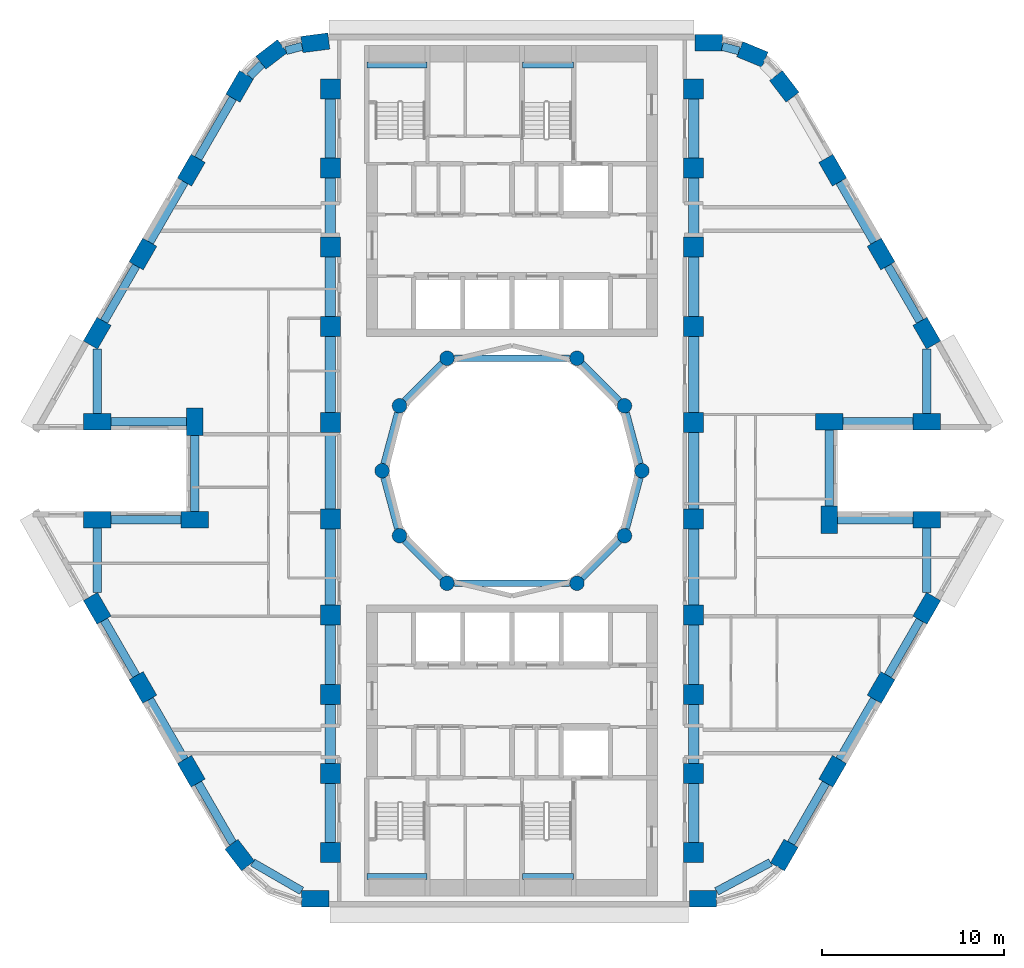
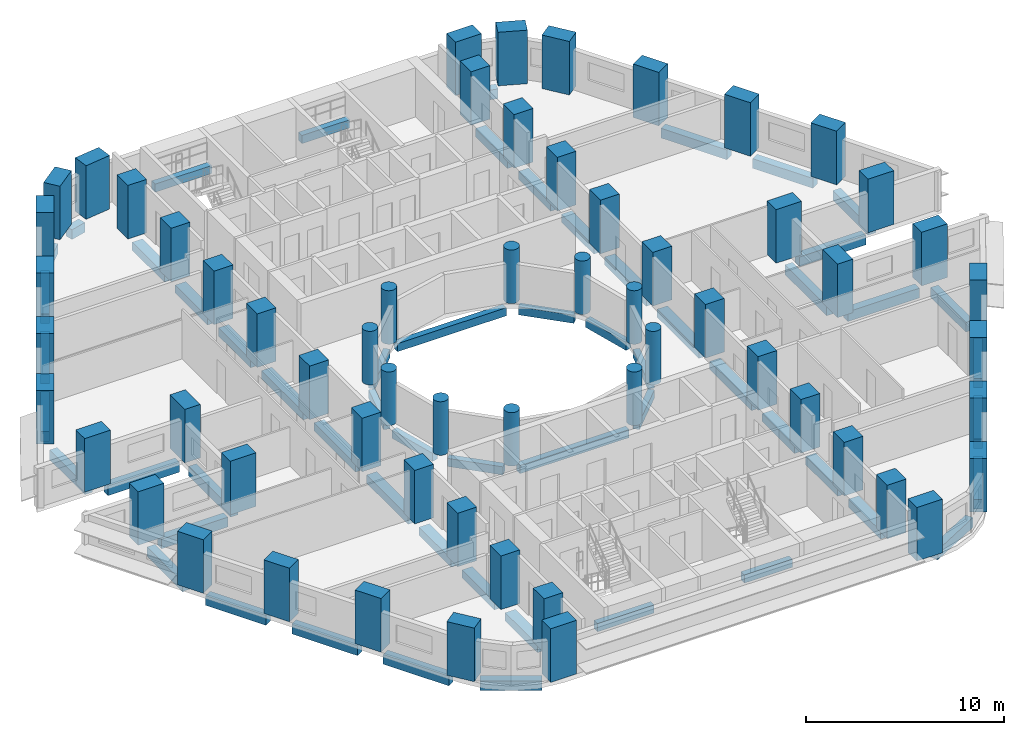
# One storey, part 1 of 12: 60 columns, 58 beams.
"""IFC4 building model written with IfcOpenShell, lengths in metres."""

import ifcopenshell
import ifcopenshell.guid

model = None  # the IFC model being written
_history = None  # IfcOwnerHistory: only IFC2X3 demands one
_inside = {}  # id of a spatial element -> (the spatial element, [elements in it])
_under = {}  # id of a project, library or spatial element -> (it, [spatial elements below it])
_declared = {}  # id of a project -> (the project, [libraries it declares])
_typed = {}  # id of a type object -> (the type object, [elements of that type])
_made_of = {}  # id of a material, layer set ... -> (it, [elements and type objects made of it])


def new_model(schema):
    """Start an empty IFC model of exactly this schema.

    Asked for "IFC4X3", IfcOpenShell would pick the latest addendum, in which some entities
    have other attributes; the version numbers below select the first issue.
    IFC2X3 requires an IfcOwnerHistory on every rooted entity: one is made here for all.
    """
    global model, _history
    if schema == "IFC4X3":
        model = ifcopenshell.file(schema_version=(4, 3, 0, 0))
    else:
        model = ifcopenshell.file(schema=schema)
    _inside.clear()
    _under.clear()
    _declared.clear()
    _typed.clear()
    _made_of.clear()
    _history = None
    if model.schema == "IFC2X3":
        org = make("IfcOrganization", Name="unknown")
        user = make(
            "IfcPersonAndOrganization",
            ThePerson=make("IfcPerson", FamilyName="unknown"),
            TheOrganization=org,
        )
        app = make(
            "IfcApplication",
            ApplicationDeveloper=org,
            Version="unknown",
            ApplicationFullName="unknown",
            ApplicationIdentifier="unknown",
        )
        _history = make(
            "IfcOwnerHistory",
            OwningUser=user,
            OwningApplication=app,
            ChangeAction="ADDED",
            CreationDate=0,
        )
    return model


def make(cls, **values):
    """One entity of the class cls with the attributes given. An attribute that is None is left unset."""
    return model.create_entity(
        cls, **{name: value for name, value in values.items() if value is not None}
    )


def rooted(cls, **values):
    """An entity with a GlobalId (a new one), such as an element, a storey or a relation."""
    return make(cls, GlobalId=ifcopenshell.guid.new(), OwnerHistory=_history, **values)


def si_unit(unit_type, name, prefix=None):
    """IfcSIUnit, for example si_unit("LENGTHUNIT", "METRE", prefix="MILLI")."""
    return make("IfcSIUnit", UnitType=unit_type, Prefix=prefix, Name=name)


def assignment(units):
    """IfcUnitAssignment: the units of a project."""
    return None if units is None else make("IfcUnitAssignment", Units=units)


def point(xyz):
    """IfcCartesianPoint."""
    return None if xyz is None else make("IfcCartesianPoint", Coordinates=xyz)


def direction(xyz):
    """IfcDirection."""
    return None if xyz is None else make("IfcDirection", DirectionRatios=xyz)


def frame(location, z_axis=None, x_axis=None):
    """IfcAxis2Placement3D, a coordinate frame: its origin and axes. An axis left out is left unset."""
    return make(
        "IfcAxis2Placement3D",
        Location=point(location),
        Axis=direction(z_axis),
        RefDirection=direction(x_axis),
    )


def frame_2d(location, x_axis=None):
    """IfcAxis2Placement2D, a coordinate frame in the plane: its origin and x axis."""
    return make(
        "IfcAxis2Placement2D", Location=point(location), RefDirection=direction(x_axis)
    )


def origin():
    """The frame at (0, 0, 0) with its axes left unset."""
    return frame((0.0, 0.0, 0.0))


def origin_2d():
    """The frame at (0, 0) in the plane with its x axis left unset."""
    return frame_2d((0.0, 0.0))


def place(relative_to, where):
    """IfcLocalPlacement: puts the frame where relative to a parent placement (None: the world)."""
    return make(
        "IfcLocalPlacement", PlacementRelTo=relative_to, RelativePlacement=where
    )


def context(
    kind, dimensions, precision=None, world=None, true_north=None, identifier=None
):
    """IfcGeometricRepresentationContext, for example the 3D "Model" context."""
    return make(
        "IfcGeometricRepresentationContext",
        ContextIdentifier=identifier,
        ContextType=kind,
        CoordinateSpaceDimension=dimensions,
        Precision=precision,
        WorldCoordinateSystem=world,
        TrueNorth=true_north,
    )


def subcontext(parent, identifier, kind, view, scale=None):
    """IfcGeometricRepresentationSubContext, for example "Body" below "Model"."""
    return make(
        "IfcGeometricRepresentationSubContext",
        ContextIdentifier=identifier,
        ContextType=kind,
        ParentContext=parent,
        TargetScale=scale,
        TargetView=view,
    )


def project(units=None, contexts=None):
    """IfcProject with its units and contexts."""
    return rooted(
        "IfcProject",
        Name="project",
        RepresentationContexts=contexts,
        UnitsInContext=assignment(units),
    )


def spatial(cls, under=None, at=None, **own):
    """A site, building, storey or space (cls), placed at a placement, below another one or the project."""
    s = rooted(cls, ObjectPlacement=at, **own)
    if under is not None:
        _under.setdefault(under.id(), (under, []))[1].append(s)
    return s


def profile(cls, at=None, kind="AREA", **sizes):
    """A parametric profile (cls). Its sizes go by their IFC names, for example OverallWidth=200.0."""
    return make(cls, ProfileType=kind, Position=at, **sizes)


def rectangle(**sizes):
    """IfcRectangleProfileDef."""
    return profile("IfcRectangleProfileDef", **sizes)


def circle(**sizes):
    """IfcCircleProfileDef."""
    return profile("IfcCircleProfileDef", **sizes)


def extrude(swept, where, along, depth):
    """IfcExtrudedAreaSolid: the profile swept, set in the frame where, extruded along a direction by depth."""
    return make(
        "IfcExtrudedAreaSolid",
        SweptArea=swept,
        Position=where,
        ExtrudedDirection=direction(along),
        Depth=depth,
    )


def shape(context_of_items, identifier, shape_type, items):
    """IfcShapeRepresentation: the items that make up one representation, for example the "Body"."""
    return make(
        "IfcShapeRepresentation",
        ContextOfItems=context_of_items,
        RepresentationIdentifier=identifier,
        RepresentationType=shape_type,
        Items=items,
    )


def material(Name=None, Category=None):
    """IfcMaterial."""
    return make("IfcMaterial", Name=Name, Category=Category)


def material_profile(
    of_material, cross_section, Name=None, Category=None, Priority=None
):
    """IfcMaterialProfile: a cross section and its material."""
    return make(
        "IfcMaterialProfile",
        Name=Name,
        Material=of_material,
        Profile=cross_section,
        Priority=Priority,
        Category=Category,
    )


def profile_set(profiles, Name=None, composite=None):
    """IfcMaterialProfileSet."""
    return make(
        "IfcMaterialProfileSet",
        Name=Name,
        MaterialProfiles=profiles,
        CompositeProfile=composite,
    )


def made_of(thing, what):
    """Note that an element or type object is made of a material, layer set ...; save() writes the relation."""
    if what is not None:
        _made_of.setdefault(what.id(), (what, []))[1].append(thing)
    return thing


def type_object(cls, material=None, **own):
    """A type object (cls), such as IfcWallType, which elements share."""
    return made_of(rooted(cls, **own), material)


def element(
    cls,
    number,
    at=None,
    inside=None,
    cuts=None,
    type_object=None,
    material=None,
    context=None,
    identifier="Body",
    shape_type=None,
    held_by="IfcProductDefinitionShape",
    body=None,
    shapes=None,
    **own,
):
    """One element of the class cls, such as IfcWall. Its Tag is "e" and its number.

    at: its placement. inside: the storey or other place that contains it. cuts: it is an
    opening in that element (IfcRelVoidsElement). A single representation is given by context,
    identifier, shape_type and body (its items); several are given by shapes. held_by: the class
    of the entity that holds the representations. save() writes the other relations.
    """
    e = rooted(cls, Tag="e%d" % number, ObjectPlacement=at, **own)
    if body is not None:
        shapes = [shape(context, identifier, shape_type, body)]
    if shapes is not None:
        e.Representation = make(held_by, Representations=shapes)
    if inside is not None:
        _inside.setdefault(inside.id(), (inside, []))[1].append(e)
    if cuts is not None:
        rooted(
            "IfcRelVoidsElement", RelatingBuildingElement=cuts, RelatedOpeningElement=e
        )
    if type_object is not None:
        _typed.setdefault(type_object.id(), (type_object, []))[1].append(e)
    return made_of(e, material)


def aggregate(whole, parts):
    """IfcRelAggregates: a whole, such as a stair, and the parts it consists of."""
    return rooted("IfcRelAggregates", RelatingObject=whole, RelatedObjects=parts)


def save(model, path):
    """Write the relations noted so far, then the file.

    IfcRelAggregates (storeys below a building ...), IfcRelContainedInSpatialStructure (elements
    in a storey), IfcRelDefinesByType, IfcRelAssociatesMaterial and IfcRelDeclares: one each for
    every whole, place, type object, material and project.
    """
    for whole, parts in _under.values():
        aggregate(whole, parts)
    for where, things in _inside.values():
        rooted(
            "IfcRelContainedInSpatialStructure",
            RelatedElements=things,
            RelatingStructure=where,
        )
    for kind, things in _typed.values():
        rooted("IfcRelDefinesByType", RelatedObjects=things, RelatingType=kind)
    for what, things in _made_of.values():
        rooted("IfcRelAssociatesMaterial", RelatedObjects=things, RelatingMaterial=what)
    for by, libraries in _declared.values():
        rooted("IfcRelDeclares", RelatingContext=by, RelatedDefinitions=libraries)
    model.write(path)


model = new_model("IFC4")

# Units and contexts
model_context = context("Model", 3, precision=1e-05, world=origin(), true_north=direction((0.0, 1.0)))
body_context = subcontext(model_context, "Body", "Model", "MODEL_VIEW")
ifc_project = project(units=[si_unit("LENGTHUNIT", "METRE"), si_unit("AREAUNIT", "SQUARE_METRE"), si_unit("VOLUMEUNIT", "CUBIC_METRE"), si_unit("PLANEANGLEUNIT", "RADIAN"), si_unit("MASSUNIT", "GRAM", prefix="KILO")], contexts=[model_context])

# Site, building, storey
site_placement = place(None, origin())
site = spatial("IfcSite", under=ifc_project, at=site_placement, CompositionType="ELEMENT")
building_placement = place(site_placement, origin())
building = spatial("IfcBuilding", under=site, at=building_placement, Name="Nakaniwa Court", CompositionType="ELEMENT")
storey_placement = place(building_placement, frame((0.0, 0.0, 51.300048828125)))
storey = spatial("IfcBuildingStorey", under=building, at=storey_placement, Name="L13", CompositionType="ELEMENT", Elevation=51.300048828125)

# Columns
ifc_material_1 = material(Name="Concrete C100/115", Category="concrete")
ifc_material_profile_1 = material_profile(ifc_material_1, rectangle(XDim=1.10009765625, YDim=1.10009765625, at=origin_2d()), Name="Concrete C100/115 RC 1100x1100 spine column")
ifc_profile_set_1 = profile_set([ifc_material_profile_1], Name="Concrete C100/115")
column_type_1 = type_object("IfcColumnType", Name="Concrete C100/115 RC 1100x1100 spine column", PredefinedType="COLUMN", material=ifc_profile_set_1)
for number, where, z_axis, x_axis, name in (
    (1, (90.0, 59.0, 0.0), (0.0, 0.0, 1.0), (0.0, 1.0, 0.0), "COLUMN CS-01"),
    (2, (90.0, 63.35009765625, 0.0), (0.0, 0.0, 1.0), (0.0, 1.0, 0.0), "COLUMN CS-02"),
    (3, (90.0, 67.699951171875, 0.0), (0.0, 0.0, 1.0), (0.0, 1.0, 0.0), "COLUMN CS-03"),
    (4, (90.0, 72.050048828125, 0.0), (0.0, 0.0, 1.0), (0.0, 1.0, 0.0), "COLUMN CS-04"),
    (5, (90.0, 77.35009765625, 0.0), (0.0, 0.0, 1.0), (0.0, 1.0, 0.0), "COLUMN CS-05"),
    (6, (90.0, 82.64990234375, 0.0), (0.0, 0.0, 1.0), (0.0, 1.0, 0.0), "COLUMN CS-06"),
    (7, (90.0, 87.949951171875, 0.0), (0.0, 0.0, 1.0), (0.0, 1.0, 0.0), "COLUMN CS-07"),
    (8, (90.0, 92.300048828125, 0.0), (0.0, 0.0, 1.0), (0.0, 1.0, 0.0), "COLUMN CS-08"),
    (9, (90.0, 96.64990234375, 0.0), (0.0, 0.0, 1.0), (0.0, 1.0, 0.0), "COLUMN CS-09"),
    (10, (90.0, 101.0, 0.0), (0.0, 0.0, 1.0), (0.0, 1.0, 0.0), "COLUMN CS-10"),
    (11, (70.0, 101.0, 0.0), (0.0, 0.0, 1.0), (0.0, -1.0, 0.0), "COLUMN CS-11"),
    (12, (70.0, 96.64990234375, 0.0), (0.0, 0.0, 1.0), (0.0, -1.0, 0.0), "COLUMN CS-12"),
    (13, (70.0, 92.300048828125, 0.0), (0.0, 0.0, 1.0), (0.0, -1.0, 0.0), "COLUMN CS-13"),
    (14, (70.0, 87.949951171875, 0.0), (0.0, 0.0, 1.0), (0.0, -1.0, 0.0), "COLUMN CS-14"),
    (15, (70.0, 82.64990234375, 0.0), (0.0, 0.0, 1.0), (0.0, -1.0, 0.0), "COLUMN CS-15"),
    (16, (70.0, 77.35009765625, 0.0), (0.0, 0.0, 1.0), (0.0, -1.0, 0.0), "COLUMN CS-16"),
    (17, (70.0, 72.050048828125, 0.0), (0.0, 0.0, 1.0), (0.0, -1.0, 0.0), "COLUMN CS-17"),
    (18, (70.0, 67.699951171875, 0.0), (0.0, 0.0, 1.0), (0.0, -1.0, 0.0), "COLUMN CS-18"),
    (19, (70.0, 63.35009765625, 0.0), (0.0, 0.0, 1.0), (0.0, -1.0, 0.0), "COLUMN CS-19"),
    (20, (70.0, 59.0, 0.0), (0.0, 0.0, 1.0), (0.0, -1.0, 0.0), "COLUMN CS-20"),
):
    element("IfcColumn", number, at=place(storey_placement, frame(where, z_axis=z_axis, x_axis=x_axis)), inside=storey, type_object=column_type_1, Name=name, PredefinedType="COLUMN", context=body_context, shape_type="SweptSolid", body=[
        extrude(rectangle(XDim=1.10009765625, YDim=1.10009765625, at=origin_2d()), origin(), (0.0, 0.0, 1.0), 3.300048828125),
    ])
ifc_material_profile_2 = material_profile(ifc_material_1, rectangle(XDim=1.5, YDim=0.89990234375, at=origin_2d()), Name="Concrete C100/115 RC 1500x900 perimeter column")
ifc_profile_set_2 = profile_set([ifc_material_profile_2], Name="Concrete C100/115")
column_type_2 = type_object("IfcColumnType", Name="Concrete C100/115 RC 1500x900 perimeter column", PredefinedType="COLUMN", material=ifc_profile_set_2)
for number, where, z_axis, x_axis, name in (
    (21, (69.17529296875, 103.550048828125, 0.0), (0.0, 0.0, 1.0), (-0.991442583111, -0.130543496177, 0.0), "COLUMN CO-01"),
    (22, (66.772705078125, 102.91015625, 0.0), (0.0, 0.0, 1.0), (-0.793363965062, -0.608747582288, 0.0), "COLUMN CO-02"),
    (23, (65.017578125, 101.1494140625, 0.0), (0.0, 0.0, 1.0), (-0.5, -0.866025403784, 0.0), "COLUMN CO-03"),
    (24, (62.3544921875, 96.537109375, 0.0), (0.0, 0.0, 1.0), (-0.5, -0.866025403784, 0.0), "COLUMN CO-04"),
    (25, (59.691650390625, 91.9248046875, 0.0), (0.0, 0.0, 1.0), (-0.5, -0.866025403784, 0.0), "COLUMN CO-05"),
    (26, (57.177001953125, 87.569580078125, 0.0), (0.0, 0.0, 1.0), (-0.5, -0.866025403784, 0.0), "COLUMN CO-06"),
    (27, (57.177001953125, 82.699951171875, 0.0), (0.0, 0.0, 1.0), (1.0, 0.0, 0.0), "COLUMN CO-08"),
    (28, (62.54150390625, 82.699951171875, 0.0), (0.0, 0.0, 1.0), (0.0, -1.0, 0.0), "COLUMN CO-09"),
    (29, (62.54150390625, 77.300048828125, 0.0), (0.0, 0.0, 1.0), (-1.0, 0.0, 0.0), "COLUMN CO-10"),
    (30, (57.177001953125, 77.300048828125, 0.0), (0.0, 0.0, 1.0), (-1.0, 0.0, 0.0), "COLUMN CO-11"),
    (31, (57.177001953125, 72.430419921875, 0.0), (0.0, 0.0, 1.0), (0.5, -0.866025403784, 0.0), "COLUMN CO-13"),
    (32, (59.691650390625, 68.0751953125, 0.0), (0.0, 0.0, 1.0), (0.5, -0.866025403784, 0.0), "COLUMN CO-14"),
    (33, (62.3544921875, 63.462890625, 0.0), (0.0, 0.0, 1.0), (0.5, -0.866025403784, 0.0), "COLUMN CO-15"),
    (34, (65.017578125, 58.8505859375, 0.0), (0.0, 0.0, 1.0), (0.608761429009, -0.793353340291, 0.0), "COLUMN CO-16"),
    (35, (69.17529296875, 56.449951171875, 0.0), (0.0, 0.0, 1.0), (1.0, 0.0, 0.0), "COLUMN CO-17"),
    (36, (90.507080078125, 56.449951171875, 0.0), (0.0, 0.0, 1.0), (1.0, 0.0, 0.0), "COLUMN CO-21"),
    (37, (94.982421875, 58.8505859375, 0.0), (0.0, 0.0, 1.0), (0.5, 0.866025403784, 0.0), "COLUMN CO-22"),
    (38, (97.6455078125, 63.462890625, 0.0), (0.0, 0.0, 1.0), (0.5, 0.866025403784, 0.0), "COLUMN CO-23"),
    (39, (100.308349609375, 68.0751953125, 0.0), (0.0, 0.0, 1.0), (0.5, 0.866025403784, 0.0), "COLUMN CO-24"),
    (40, (102.822998046875, 72.430419921875, 0.0), (0.0, 0.0, 1.0), (0.5, 0.866025403784, 0.0), "COLUMN CO-25"),
    (41, (102.822998046875, 77.300048828125, 0.0), (0.0, 0.0, 1.0), (-1.0, 0.0, 0.0), "COLUMN CO-27"),
    (42, (97.45849609375, 77.300048828125, 0.0), (0.0, 0.0, 1.0), (0.0, 1.0, 0.0), "COLUMN CO-28"),
    (43, (97.45849609375, 82.699951171875, 0.0), (0.0, 0.0, 1.0), (1.0, 0.0, 0.0), "COLUMN CO-29"),
    (44, (102.822998046875, 82.699951171875, 0.0), (0.0, 0.0, 1.0), (1.0, 0.0, 0.0), "COLUMN CO-30"),
    (45, (102.822998046875, 87.569580078125, 0.0), (0.0, 0.0, 1.0), (-0.5, 0.866025403784, 0.0), "COLUMN CO-32"),
    (46, (100.308349609375, 91.9248046875, 0.0), (0.0, 0.0, 1.0), (-0.5, 0.866025403784, 0.0), "COLUMN CO-33"),
    (47, (97.6455078125, 96.537109375, 0.0), (0.0, 0.0, 1.0), (-0.5, 0.866025403784, 0.0), "COLUMN CO-34"),
    (48, (94.982421875, 101.1494140625, 0.0), (0.0, 0.0, 1.0), (-0.608761429009, 0.793353340291, 0.0), "COLUMN CO-35"),
    (49, (93.227294921875, 102.91015625, 0.0), (0.0, 0.0, 1.0), (-0.923879532511, 0.382683432365, 0.0), "COLUMN CO-36"),
    (50, (90.82470703125, 103.550048828125, 0.0), (0.0, 0.0, 1.0), (-1.0, 0.0, 0.0), "COLUMN CO-37"),
):
    element("IfcColumn", number, at=place(storey_placement, frame(where, z_axis=z_axis, x_axis=x_axis)), inside=storey, type_object=column_type_2, Name=name, PredefinedType="COLUMN", context=body_context, shape_type="SweptSolid", body=[
        extrude(rectangle(XDim=1.5, YDim=0.89990234375, at=origin_2d()), origin(), (0.0, 0.0, 1.0), 3.300048828125),
    ])
ifc_material_profile_3 = material_profile(ifc_material_1, circle(Radius=0.39990234375, at=origin_2d()), Name="Concrete C100/115 RC D800 inner ring column")
ifc_profile_set_3 = profile_set([ifc_material_profile_3], Name="Concrete C100/115")
column_type_3 = type_object("IfcColumnType", Name="Concrete C100/115 RC D800 inner ring column", PredefinedType="COLUMN", material=ifc_profile_set_3)
for number, where, z_axis, x_axis, name in (
    (51, (87.14990234375, 80.0, 0.0), (0.0, 0.0, 1.0), (0.0, 1.0, 0.0), "COLUMN CI-01"),
    (52, (86.192138671875, 83.574951171875, 0.0), (0.0, 0.0, 1.0), (-0.5, 0.866025403784, 0.0), "COLUMN CI-02"),
    (53, (83.574951171875, 86.192138671875, 0.0), (0.0, 0.0, 1.0), (-0.866025403784, 0.5, 0.0), "COLUMN CI-03"),
    (54, (76.425048828125, 86.192138671875, 0.0), (0.0, 0.0, 1.0), (-0.866025403784, -0.5, 0.0), "COLUMN CI-05"),
    (55, (73.807861328125, 83.574951171875, 0.0), (0.0, 0.0, 1.0), (-0.5, -0.866025403784, 0.0), "COLUMN CI-06"),
    (56, (72.85009765625, 80.0, 0.0), (0.0, 0.0, 1.0), (0.0, -1.0, 0.0), "COLUMN CI-07"),
    (57, (73.807861328125, 76.425048828125, 0.0), (0.0, 0.0, 1.0), (0.5, -0.866025403784, 0.0), "COLUMN CI-08"),
    (58, (76.425048828125, 73.807861328125, 0.0), (0.0, 0.0, 1.0), (0.866025403784, -0.5, 0.0), "COLUMN CI-09"),
    (59, (83.574951171875, 73.807861328125, 0.0), (0.0, 0.0, 1.0), (0.866025403784, 0.5, 0.0), "COLUMN CI-11"),
    (60, (86.192138671875, 76.425048828125, 0.0), (0.0, 0.0, 1.0), (0.5, 0.866025403784, 0.0), "COLUMN CI-12"),
):
    element("IfcColumn", number, at=place(storey_placement, frame(where, z_axis=z_axis, x_axis=x_axis)), inside=storey, type_object=column_type_3, Name=name, PredefinedType="COLUMN", context=body_context, shape_type="SweptSolid", body=[
        extrude(circle(Radius=0.39990234375, at=origin_2d()), origin(), (0.0, 0.0, 1.0), 3.300048828125),
    ])

# Beams
ifc_material_profile_4 = material_profile(ifc_material_1, rectangle(XDim=0.35009765625, YDim=0.5, at=origin_2d()), Name="Concrete C100/115 RC 350x500 ring beam")
ifc_profile_set_4 = profile_set([ifc_material_profile_4], Name="Concrete C100/115")
beam_type_1 = type_object("IfcBeamType", Name="Concrete C100/115 RC 350x500 ring beam", PredefinedType="BEAM", material=ifc_profile_set_4)
beam_1_placement = place(storey_placement, frame((87.04638671875, 80.386474609375, -0.525146484375), z_axis=(-0.258778150207, 0.965936783115, 0.0), x_axis=(-0.965936783115, -0.258778150207, 0.0)))
element("IfcBeam", 61, at=beam_1_placement, inside=storey, type_object=beam_type_1, Name="RING BEAM", PredefinedType="BEAM", context=body_context, shape_type="SweptSolid", body=[
    extrude(rectangle(XDim=0.35009765625, YDim=0.5, at=origin_2d()), origin(), (0.0, 0.0, 1.0), 2.901123046875),
])
beam_2_placement = place(storey_placement, frame((85.9091796875, 83.85791015625, -0.525146484375), z_axis=(-0.707106781187, 0.707106781187, 0.0), x_axis=(-0.707106781187, -0.707106781187, 0.0)))
element("IfcBeam", 62, at=beam_2_placement, inside=storey, type_object=beam_type_1, Name="RING BEAM", PredefinedType="BEAM", context=body_context, shape_type="SweptSolid", body=[
    extrude(rectangle(XDim=0.35009765625, YDim=0.5, at=origin_2d()), origin(), (0.0, 0.0, 1.0), 2.90087890625),
])
beam_3_placement = place(storey_placement, frame((83.175048828125, 86.192138671875, -0.525146484375), z_axis=(-1.0, 0.0, 0.0), x_axis=(0.0, -1.0, 0.0)))
element("IfcBeam", 63, at=beam_3_placement, inside=storey, type_object=beam_type_1, Name="RING BEAM", PredefinedType="BEAM", context=body_context, shape_type="SweptSolid", body=[
    extrude(rectangle(XDim=0.35009765625, YDim=0.5, at=origin_2d()), origin(), (0.0, 0.0, 1.0), 6.35009765625),
])
beam_4_placement = place(storey_placement, frame((76.14208984375, 85.9091796875, -0.525146484375), z_axis=(-0.707106781187, -0.707106781187, 0.0), x_axis=(0.707106781187, -0.707106781187, 0.0)))
element("IfcBeam", 64, at=beam_4_placement, inside=storey, type_object=beam_type_1, Name="RING BEAM", PredefinedType="BEAM", context=body_context, shape_type="SweptSolid", body=[
    extrude(rectangle(XDim=0.35009765625, YDim=0.5, at=origin_2d()), origin(), (0.0, 0.0, 1.0), 2.90087890625),
])
for number, where, z_axis, x_axis, name in (
    (65, (73.704345703125, 83.188720703125, -0.525146484375), (-0.258778150207, -0.965936783115, 0.0), (0.965936783115, -0.258778150207, 0.0), "RING BEAM"),
    (66, (72.95361328125, 79.613525390625, -0.525146484375), (0.258778150207, -0.965936783115, 0.0), (0.965936783115, 0.258778150207, 0.0), "RING BEAM"),
):
    element("IfcBeam", number, at=place(storey_placement, frame(where, z_axis=z_axis, x_axis=x_axis)), inside=storey, type_object=beam_type_1, Name=name, PredefinedType="BEAM", context=body_context, shape_type="SweptSolid", body=[
        extrude(rectangle(XDim=0.35009765625, YDim=0.5, at=origin_2d()), origin(), (0.0, 0.0, 1.0), 2.901123046875),
    ])
beam_5_placement = place(storey_placement, frame((74.0908203125, 76.14208984375, -0.525146484375), z_axis=(0.707106781187, -0.707106781187, 0.0), x_axis=(0.707106781187, 0.707106781187, 0.0)))
element("IfcBeam", 67, at=beam_5_placement, inside=storey, type_object=beam_type_1, Name="RING BEAM", PredefinedType="BEAM", context=body_context, shape_type="SweptSolid", body=[
    extrude(rectangle(XDim=0.35009765625, YDim=0.5, at=origin_2d()), origin(), (0.0, 0.0, 1.0), 2.90087890625),
])
beam_6_placement = place(storey_placement, frame((76.824951171875, 73.807861328125, -0.525146484375), z_axis=(1.0, 0.0, 0.0), x_axis=(0.0, 1.0, 0.0)))
element("IfcBeam", 68, at=beam_6_placement, inside=storey, type_object=beam_type_1, Name="RING BEAM", PredefinedType="BEAM", context=body_context, shape_type="SweptSolid", body=[
    extrude(rectangle(XDim=0.35009765625, YDim=0.5, at=origin_2d()), origin(), (0.0, 0.0, 1.0), 6.35009765625),
])
beam_7_placement = place(storey_placement, frame((83.85791015625, 74.0908203125, -0.525146484375), z_axis=(0.707106781187, 0.707106781187, 0.0), x_axis=(-0.707106781187, 0.707106781187, 0.0)))
element("IfcBeam", 69, at=beam_7_placement, inside=storey, type_object=beam_type_1, Name="RING BEAM", PredefinedType="BEAM", context=body_context, shape_type="SweptSolid", body=[
    extrude(rectangle(XDim=0.35009765625, YDim=0.5, at=origin_2d()), origin(), (0.0, 0.0, 1.0), 2.90087890625),
])
beam_8_placement = place(storey_placement, frame((86.295654296875, 76.811279296875, -0.525146484375), z_axis=(0.258778150207, 0.965936783115, 0.0), x_axis=(-0.965936783115, 0.258778150207, 0.0)))
element("IfcBeam", 70, at=beam_8_placement, inside=storey, type_object=beam_type_1, Name="RING BEAM", PredefinedType="BEAM", context=body_context, shape_type="SweptSolid", body=[
    extrude(rectangle(XDim=0.35009765625, YDim=0.5, at=origin_2d()), origin(), (0.0, 0.0, 1.0), 2.901123046875),
])
ifc_material_profile_5 = material_profile(ifc_material_1, rectangle(XDim=0.449951171875, YDim=0.60009765625, at=origin_2d()), Name="Concrete C100/115 RC 450x600 spandrel beam")
ifc_profile_set_5 = profile_set([ifc_material_profile_5], Name="Concrete C100/115")
beam_type_2 = type_object("IfcBeamType", Name="Concrete C100/115 RC 450x600 spandrel beam", PredefinedType="BEAM", material=ifc_profile_set_5)
beam_9_placement = place(storey_placement, frame((68.444580078125, 103.35546875, -0.574951171875), z_axis=(-0.966287893493, -0.25746399144, 0.0), x_axis=(0.25746399144, -0.966287893493, 0.0)))
element("IfcBeam", 71, at=beam_9_placement, inside=storey, type_object=beam_type_2, Name="SPANDREL BEAM", PredefinedType="BEAM", context=body_context, shape_type="SweptSolid", body=[
    extrude(rectangle(XDim=0.449951171875, YDim=0.60009765625, at=origin_2d()), origin(), (0.0, 0.0, 1.0), 0.91796875),
])
beam_10_placement = place(storey_placement, frame((66.238525390625, 102.374267578125, -0.574951171875), z_axis=(-0.706081618928, -0.708130459317, 0.0), x_axis=(0.708130459317, -0.706081618928, 0.0)))
element("IfcBeam", 72, at=beam_10_placement, inside=storey, type_object=beam_type_2, Name="SPANDREL BEAM", PredefinedType="BEAM", context=body_context, shape_type="SweptSolid", body=[
    extrude(rectangle(XDim=0.449951171875, YDim=0.60009765625, at=origin_2d()), origin(), (0.0, 0.0, 1.0), 0.953369140625),
])
beam_11_placement = place(storey_placement, frame((64.642578125, 100.5, -0.574951171875), z_axis=(-0.500009674092, -0.866019818373, 0.0), x_axis=(0.866019818373, -0.500009674092, 0.0)))
element("IfcBeam", 73, at=beam_11_placement, inside=storey, type_object=beam_type_2, Name="SPANDREL BEAM", PredefinedType="BEAM", context=body_context, shape_type="SweptSolid", body=[
    extrude(rectangle(XDim=0.449951171875, YDim=0.60009765625, at=origin_2d()), origin(), (0.0, 0.0, 1.0), 3.826171875),
])
beam_12_placement = place(storey_placement, frame((61.9794921875, 95.8876953125, -0.574951171875), z_axis=(-0.499961815444, -0.866047448526, 0.0), x_axis=(0.866047448526, -0.499961815444, 0.0)))
element("IfcBeam", 74, at=beam_12_placement, inside=storey, type_object=beam_type_2, Name="SPANDREL BEAM", PredefinedType="BEAM", context=body_context, shape_type="SweptSolid", body=[
    extrude(rectangle(XDim=0.449951171875, YDim=0.60009765625, at=origin_2d()), origin(), (0.0, 0.0, 1.0), 3.825927734375),
])
beam_13_placement = place(storey_placement, frame((59.316650390625, 91.275146484375, -0.574951171875), z_axis=(-0.500067800301, -0.865986255723, 0.0), x_axis=(0.865986255723, -0.500067800301, 0.0)))
element("IfcBeam", 75, at=beam_13_placement, inside=storey, type_object=beam_type_2, Name="SPANDREL BEAM", PredefinedType="BEAM", context=body_context, shape_type="SweptSolid", body=[
    extrude(rectangle(XDim=0.449951171875, YDim=0.60009765625, at=origin_2d()), origin(), (0.0, 0.0, 1.0), 3.52880859375),
])
beam_14_placement = place(storey_placement, frame((57.177001953125, 86.70361328125, -0.574951171875), z_axis=(0.0, -1.0, 0.0), x_axis=(1.0, 0.0, 0.0)))
element("IfcBeam", 76, at=beam_14_placement, inside=storey, type_object=beam_type_2, Name="SPANDREL BEAM", PredefinedType="BEAM", context=body_context, shape_type="SweptSolid", body=[
    extrude(rectangle(XDim=0.449951171875, YDim=0.60009765625, at=origin_2d()), origin(), (0.0, 0.0, 1.0), 3.5537109375),
])
beam_15_placement = place(storey_placement, frame((57.927001953125, 82.699951171875, -0.574951171875), z_axis=(1.0, 0.0, 0.0), x_axis=(0.0, 1.0, 0.0)))
element("IfcBeam", 77, at=beam_15_placement, inside=storey, type_object=beam_type_2, Name="SPANDREL BEAM", PredefinedType="BEAM", context=body_context, shape_type="SweptSolid", body=[
    extrude(rectangle(XDim=0.449951171875, YDim=0.60009765625, at=origin_2d()), origin(), (0.0, 0.0, 1.0), 4.16455078125),
])
beam_16_placement = place(storey_placement, frame((62.54150390625, 81.949951171875, -0.574951171875), z_axis=(0.0, -1.0, 0.0), x_axis=(1.0, 0.0, 0.0)))
element("IfcBeam", 78, at=beam_16_placement, inside=storey, type_object=beam_type_2, Name="SPANDREL BEAM", PredefinedType="BEAM", context=body_context, shape_type="SweptSolid", body=[
    extrude(rectangle(XDim=0.449951171875, YDim=0.60009765625, at=origin_2d()), origin(), (0.0, 0.0, 1.0), 4.199951171875),
])
beam_17_placement = place(storey_placement, frame((61.79150390625, 77.300048828125, -0.574951171875), z_axis=(-1.0, 0.0, 0.0), x_axis=(0.0, -1.0, 0.0)))
element("IfcBeam", 79, at=beam_17_placement, inside=storey, type_object=beam_type_2, Name="SPANDREL BEAM", PredefinedType="BEAM", context=body_context, shape_type="SweptSolid", body=[
    extrude(rectangle(XDim=0.449951171875, YDim=0.60009765625, at=origin_2d()), origin(), (0.0, 0.0, 1.0), 3.864501953125),
])
beam_18_placement = place(storey_placement, frame((57.177001953125, 76.85009765625, -0.574951171875), z_axis=(0.0, -1.0, 0.0), x_axis=(1.0, 0.0, 0.0)))
element("IfcBeam", 80, at=beam_18_placement, inside=storey, type_object=beam_type_2, Name="SPANDREL BEAM", PredefinedType="BEAM", context=body_context, shape_type="SweptSolid", body=[
    extrude(rectangle(XDim=0.449951171875, YDim=0.60009765625, at=origin_2d()), origin(), (0.0, 0.0, 1.0), 3.5537109375),
])
beam_19_placement = place(storey_placement, frame((57.552001953125, 71.78076171875, -0.574951171875), z_axis=(0.500067800301, -0.865986255723, 0.0), x_axis=(0.865986255723, 0.500067800301, 0.0)))
element("IfcBeam", 81, at=beam_19_placement, inside=storey, type_object=beam_type_2, Name="SPANDREL BEAM", PredefinedType="BEAM", context=body_context, shape_type="SweptSolid", body=[
    extrude(rectangle(XDim=0.449951171875, YDim=0.60009765625, at=origin_2d()), origin(), (0.0, 0.0, 1.0), 3.52880859375),
])
beam_20_placement = place(storey_placement, frame((60.066650390625, 67.42578125, -0.574951171875), z_axis=(0.499961815444, -0.866047448526, 0.0), x_axis=(0.866047448526, 0.499961815444, 0.0)))
element("IfcBeam", 82, at=beam_20_placement, inside=storey, type_object=beam_type_2, Name="SPANDREL BEAM", PredefinedType="BEAM", context=body_context, shape_type="SweptSolid", body=[
    extrude(rectangle(XDim=0.449951171875, YDim=0.60009765625, at=origin_2d()), origin(), (0.0, 0.0, 1.0), 3.825927734375),
])
beam_21_placement = place(storey_placement, frame((62.7294921875, 62.8134765625, -0.574951171875), z_axis=(0.500023067617, -0.86601208528, 0.0), x_axis=(0.86601208528, 0.500023067617, 0.0)))
element("IfcBeam", 83, at=beam_21_placement, inside=storey, type_object=beam_type_2, Name="SPANDREL BEAM", PredefinedType="BEAM", context=body_context, shape_type="SweptSolid", body=[
    extrude(rectangle(XDim=0.449951171875, YDim=0.60009765625, at=origin_2d()), origin(), (0.0, 0.0, 1.0), 3.819580078125),
])
beam_22_placement = place(storey_placement, frame((65.720458984375, 58.444580078125, -0.574951171875), z_axis=(0.866041096587, -0.499972818284, 0.0), x_axis=(0.499972818284, 0.866041096587, 0.0)))
element("IfcBeam", 84, at=beam_22_placement, inside=storey, type_object=beam_type_2, Name="SPANDREL BEAM", PredefinedType="BEAM", context=body_context, shape_type="SweptSolid", body=[
    extrude(rectangle(XDim=0.449951171875, YDim=0.60009765625, at=origin_2d()), origin(), (0.0, 0.0, 1.0), 3.123291015625),
])
beam_23_placement = place(storey_placement, frame((91.257080078125, 56.852294921875, -0.574951171875), z_axis=(0.881234537383, 0.472679267711, 0.0), x_axis=(-0.472679267711, 0.881234537383, 0.0)))
element("IfcBeam", 85, at=beam_23_placement, inside=storey, type_object=beam_type_2, Name="SPANDREL BEAM", PredefinedType="BEAM", context=body_context, shape_type="SweptSolid", body=[
    extrude(rectangle(XDim=0.449951171875, YDim=0.60009765625, at=origin_2d()), origin(), (0.0, 0.0, 1.0), 3.373291015625),
])
beam_24_placement = place(storey_placement, frame((95.357421875, 59.5, -0.574951171875), z_axis=(0.500009674092, 0.866019818373, 0.0), x_axis=(-0.866019818373, 0.500009674092, 0.0)))
element("IfcBeam", 86, at=beam_24_placement, inside=storey, type_object=beam_type_2, Name="SPANDREL BEAM", PredefinedType="BEAM", context=body_context, shape_type="SweptSolid", body=[
    extrude(rectangle(XDim=0.449951171875, YDim=0.60009765625, at=origin_2d()), origin(), (0.0, 0.0, 1.0), 3.826171875),
])
beam_25_placement = place(storey_placement, frame((98.0205078125, 64.1123046875, -0.574951171875), z_axis=(0.499961815444, 0.866047448526, 0.0), x_axis=(-0.866047448526, 0.499961815444, 0.0)))
element("IfcBeam", 87, at=beam_25_placement, inside=storey, type_object=beam_type_2, Name="SPANDREL BEAM", PredefinedType="BEAM", context=body_context, shape_type="SweptSolid", body=[
    extrude(rectangle(XDim=0.449951171875, YDim=0.60009765625, at=origin_2d()), origin(), (0.0, 0.0, 1.0), 3.825927734375),
])
beam_26_placement = place(storey_placement, frame((100.683349609375, 68.724853515625, -0.574951171875), z_axis=(0.500067800301, 0.865986255723, 0.0), x_axis=(-0.865986255723, 0.500067800301, 0.0)))
element("IfcBeam", 88, at=beam_26_placement, inside=storey, type_object=beam_type_2, Name="SPANDREL BEAM", PredefinedType="BEAM", context=body_context, shape_type="SweptSolid", body=[
    extrude(rectangle(XDim=0.449951171875, YDim=0.60009765625, at=origin_2d()), origin(), (0.0, 0.0, 1.0), 3.52880859375),
])
beam_27_placement = place(storey_placement, frame((102.822998046875, 73.29638671875, -0.574951171875), z_axis=(0.0, 1.0, 0.0), x_axis=(-1.0, 0.0, 0.0)))
element("IfcBeam", 89, at=beam_27_placement, inside=storey, type_object=beam_type_2, Name="SPANDREL BEAM", PredefinedType="BEAM", context=body_context, shape_type="SweptSolid", body=[
    extrude(rectangle(XDim=0.449951171875, YDim=0.60009765625, at=origin_2d()), origin(), (0.0, 0.0, 1.0), 3.5537109375),
])
beam_28_placement = place(storey_placement, frame((102.072998046875, 77.300048828125, -0.574951171875), z_axis=(-1.0, 0.0, 0.0), x_axis=(0.0, -1.0, 0.0)))
element("IfcBeam", 90, at=beam_28_placement, inside=storey, type_object=beam_type_2, Name="SPANDREL BEAM", PredefinedType="BEAM", context=body_context, shape_type="SweptSolid", body=[
    extrude(rectangle(XDim=0.449951171875, YDim=0.60009765625, at=origin_2d()), origin(), (0.0, 0.0, 1.0), 4.16455078125),
])
beam_29_placement = place(storey_placement, frame((97.45849609375, 78.050048828125, -0.574951171875), z_axis=(0.0, 1.0, 0.0), x_axis=(-1.0, 0.0, 0.0)))
element("IfcBeam", 91, at=beam_29_placement, inside=storey, type_object=beam_type_2, Name="SPANDREL BEAM", PredefinedType="BEAM", context=body_context, shape_type="SweptSolid", body=[
    extrude(rectangle(XDim=0.449951171875, YDim=0.60009765625, at=origin_2d()), origin(), (0.0, 0.0, 1.0), 4.199951171875),
])
beam_30_placement = place(storey_placement, frame((98.20849609375, 82.699951171875, -0.574951171875), z_axis=(1.0, 0.0, 0.0), x_axis=(0.0, 1.0, 0.0)))
element("IfcBeam", 92, at=beam_30_placement, inside=storey, type_object=beam_type_2, Name="SPANDREL BEAM", PredefinedType="BEAM", context=body_context, shape_type="SweptSolid", body=[
    extrude(rectangle(XDim=0.449951171875, YDim=0.60009765625, at=origin_2d()), origin(), (0.0, 0.0, 1.0), 3.864501953125),
])
beam_31_placement = place(storey_placement, frame((102.822998046875, 83.14990234375, -0.574951171875), z_axis=(0.0, 1.0, 0.0), x_axis=(-1.0, 0.0, 0.0)))
element("IfcBeam", 93, at=beam_31_placement, inside=storey, type_object=beam_type_2, Name="SPANDREL BEAM", PredefinedType="BEAM", context=body_context, shape_type="SweptSolid", body=[
    extrude(rectangle(XDim=0.449951171875, YDim=0.60009765625, at=origin_2d()), origin(), (0.0, 0.0, 1.0), 3.5537109375),
])
beam_32_placement = place(storey_placement, frame((102.447998046875, 88.21923828125, -0.574951171875), z_axis=(-0.500067800301, 0.865986255723, 0.0), x_axis=(-0.865986255723, -0.500067800301, 0.0)))
element("IfcBeam", 94, at=beam_32_placement, inside=storey, type_object=beam_type_2, Name="SPANDREL BEAM", PredefinedType="BEAM", context=body_context, shape_type="SweptSolid", body=[
    extrude(rectangle(XDim=0.449951171875, YDim=0.60009765625, at=origin_2d()), origin(), (0.0, 0.0, 1.0), 3.52880859375),
])
beam_33_placement = place(storey_placement, frame((99.933349609375, 92.57421875, -0.574951171875), z_axis=(-0.499961815444, 0.866047448526, 0.0), x_axis=(-0.866047448526, -0.499961815444, 0.0)))
element("IfcBeam", 95, at=beam_33_placement, inside=storey, type_object=beam_type_2, Name="SPANDREL BEAM", PredefinedType="BEAM", context=body_context, shape_type="SweptSolid", body=[
    extrude(rectangle(XDim=0.449951171875, YDim=0.60009765625, at=origin_2d()), origin(), (0.0, 0.0, 1.0), 3.825927734375),
])
beam_34_placement = place(storey_placement, frame((92.49609375, 103.10498046875, -0.574951171875), z_axis=(-0.966324126494, 0.257327966912, 0.0), x_axis=(-0.257327966912, -0.966324126494, 0.0)))
element("IfcBeam", 96, at=beam_34_placement, inside=storey, type_object=beam_type_2, Name="SPANDREL BEAM", PredefinedType="BEAM", context=body_context, shape_type="SweptSolid", body=[
    extrude(rectangle(XDim=0.449951171875, YDim=0.60009765625, at=origin_2d()), origin(), (0.0, 0.0, 1.0), 0.95361328125),
])
ifc_material_profile_6 = material_profile(ifc_material_1, rectangle(XDim=0.60009765625, YDim=0.5, at=origin_2d()), Name="Concrete C100/115 RC 600x500 ring beam")
ifc_profile_set_6 = profile_set([ifc_material_profile_6], Name="Concrete C100/115")
beam_type_3 = type_object("IfcBeamType", Name="Concrete C100/115 RC 600x500 ring beam", PredefinedType="BEAM", material=ifc_profile_set_6)
for number, where, z_axis, x_axis, name in (
    (97, (90.0, 59.550048828125, -0.525146484375), (0.0, 1.0, 0.0), (-1.0, 0.0, 0.0), "RING BEAM"),
    (98, (90.0, 63.89990234375, -0.525146484375), (0.0, 1.0, 0.0), (-1.0, 0.0, 0.0), "RING BEAM"),
    (99, (90.0, 68.25, -0.525146484375), (0.0, 1.0, 0.0), (-1.0, 0.0, 0.0), "RING BEAM"),
):
    element("IfcBeam", number, at=place(storey_placement, frame(where, z_axis=z_axis, x_axis=x_axis)), inside=storey, type_object=beam_type_3, Name=name, PredefinedType="BEAM", context=body_context, shape_type="SweptSolid", body=[
        extrude(rectangle(XDim=0.60009765625, YDim=0.5, at=origin_2d()), origin(), (0.0, 0.0, 1.0), 3.25),
    ])
beam_35_placement = place(storey_placement, frame((90.0, 72.60009765625, -0.525146484375), z_axis=(0.0, 1.0, 0.0), x_axis=(-1.0, 0.0, 0.0)))
element("IfcBeam", 100, at=beam_35_placement, inside=storey, type_object=beam_type_3, Name="RING BEAM", PredefinedType="BEAM", context=body_context, shape_type="SweptSolid", body=[
    extrude(rectangle(XDim=0.60009765625, YDim=0.5, at=origin_2d()), origin(), (0.0, 0.0, 1.0), 4.199951171875),
])
beam_36_placement = place(storey_placement, frame((90.0, 77.89990234375, -0.525146484375), z_axis=(0.0, 1.0, 0.0), x_axis=(-1.0, 0.0, 0.0)))
element("IfcBeam", 101, at=beam_36_placement, inside=storey, type_object=beam_type_3, Name="RING BEAM", PredefinedType="BEAM", context=body_context, shape_type="SweptSolid", body=[
    extrude(rectangle(XDim=0.60009765625, YDim=0.5, at=origin_2d()), origin(), (0.0, 0.0, 1.0), 4.2001953125),
])
beam_37_placement = place(storey_placement, frame((90.0, 83.199951171875, -0.525146484375), z_axis=(0.0, 1.0, 0.0), x_axis=(-1.0, 0.0, 0.0)))
element("IfcBeam", 102, at=beam_37_placement, inside=storey, type_object=beam_type_3, Name="RING BEAM", PredefinedType="BEAM", context=body_context, shape_type="SweptSolid", body=[
    extrude(rectangle(XDim=0.60009765625, YDim=0.5, at=origin_2d()), origin(), (0.0, 0.0, 1.0), 4.199951171875),
])
for number, where, z_axis, x_axis, name in (
    (103, (90.0, 88.5, -0.525146484375), (0.0, 1.0, 0.0), (-1.0, 0.0, 0.0), "RING BEAM"),
    (104, (90.0, 92.85009765625, -0.525146484375), (0.0, 1.0, 0.0), (-1.0, 0.0, 0.0), "RING BEAM"),
    (105, (90.0, 97.199951171875, -0.525146484375), (0.0, 1.0, 0.0), (-1.0, 0.0, 0.0), "RING BEAM"),
    (106, (70.0, 100.449951171875, -0.525146484375), (0.0, -1.0, 0.0), (1.0, 0.0, 0.0), "RING BEAM"),
    (107, (70.0, 96.10009765625, -0.525146484375), (0.0, -1.0, 0.0), (1.0, 0.0, 0.0), "RING BEAM"),
    (108, (70.0, 91.75, -0.525146484375), (0.0, -1.0, 0.0), (1.0, 0.0, 0.0), "RING BEAM"),
):
    element("IfcBeam", number, at=place(storey_placement, frame(where, z_axis=z_axis, x_axis=x_axis)), inside=storey, type_object=beam_type_3, Name=name, PredefinedType="BEAM", context=body_context, shape_type="SweptSolid", body=[
        extrude(rectangle(XDim=0.60009765625, YDim=0.5, at=origin_2d()), origin(), (0.0, 0.0, 1.0), 3.25),
    ])
beam_38_placement = place(storey_placement, frame((70.0, 87.39990234375, -0.525146484375), z_axis=(0.0, -1.0, 0.0), x_axis=(1.0, 0.0, 0.0)))
element("IfcBeam", 109, at=beam_38_placement, inside=storey, type_object=beam_type_3, Name="RING BEAM", PredefinedType="BEAM", context=body_context, shape_type="SweptSolid", body=[
    extrude(rectangle(XDim=0.60009765625, YDim=0.5, at=origin_2d()), origin(), (0.0, 0.0, 1.0), 4.199951171875),
])
beam_39_placement = place(storey_placement, frame((70.0, 82.10009765625, -0.525146484375), z_axis=(0.0, -1.0, 0.0), x_axis=(1.0, 0.0, 0.0)))
element("IfcBeam", 110, at=beam_39_placement, inside=storey, type_object=beam_type_3, Name="RING BEAM", PredefinedType="BEAM", context=body_context, shape_type="SweptSolid", body=[
    extrude(rectangle(XDim=0.60009765625, YDim=0.5, at=origin_2d()), origin(), (0.0, 0.0, 1.0), 4.2001953125),
])
beam_40_placement = place(storey_placement, frame((70.0, 76.800048828125, -0.525146484375), z_axis=(0.0, -1.0, 0.0), x_axis=(1.0, 0.0, 0.0)))
element("IfcBeam", 111, at=beam_40_placement, inside=storey, type_object=beam_type_3, Name="RING BEAM", PredefinedType="BEAM", context=body_context, shape_type="SweptSolid", body=[
    extrude(rectangle(XDim=0.60009765625, YDim=0.5, at=origin_2d()), origin(), (0.0, 0.0, 1.0), 4.199951171875),
])
for number, where, z_axis, x_axis, name in (
    (112, (70.0, 71.5, -0.525146484375), (0.0, -1.0, 0.0), (1.0, 0.0, 0.0), "RING BEAM"),
    (113, (70.0, 67.14990234375, -0.525146484375), (0.0, -1.0, 0.0), (1.0, 0.0, 0.0), "RING BEAM"),
    (114, (70.0, 62.800048828125, -0.525146484375), (0.0, -1.0, 0.0), (1.0, 0.0, 0.0), "RING BEAM"),
):
    element("IfcBeam", number, at=place(storey_placement, frame(where, z_axis=z_axis, x_axis=x_axis)), inside=storey, type_object=beam_type_3, Name=name, PredefinedType="BEAM", context=body_context, shape_type="SweptSolid", body=[
        extrude(rectangle(XDim=0.60009765625, YDim=0.5, at=origin_2d()), origin(), (0.0, 0.0, 1.0), 3.25),
    ])
ifc_material_2 = material(Name="Concrete C80/100", Category="concrete")
ifc_material_profile_7 = material_profile(ifc_material_2, rectangle(XDim=0.35009765625, YDim=0.5, at=origin_2d()), Name="Concrete C80/100 RC 350x500 landing ledge beam")
ifc_profile_set_7 = profile_set([ifc_material_profile_7], Name="Concrete C80/100")
beam_type_4 = type_object("IfcBeamType", Name="Concrete C80/100 RC 350x500 landing ledge beam", PredefinedType="BEAM", material=ifc_profile_set_7)
beam_41_placement = place(storey_placement, frame((72.02490234375, 102.324951171875, 1.199951171875), z_axis=(1.0, 0.0, 0.0), x_axis=(0.0, 1.0, 0.0)))
element("IfcBeam", 115, at=beam_41_placement, inside=storey, type_object=beam_type_4, Name="LANDING LEDGE BEAM", PredefinedType="BEAM", context=body_context, shape_type="SweptSolid", body=[
    extrude(rectangle(XDim=0.35009765625, YDim=0.5, at=origin_2d()), origin(), (0.0, 0.0, 1.0), 3.300048828125),
])
beam_42_placement = place(storey_placement, frame((80.574951171875, 102.324951171875, 1.199951171875), z_axis=(1.0, 0.0, 0.0), x_axis=(0.0, 1.0, 0.0)))
element("IfcBeam", 116, at=beam_42_placement, inside=storey, type_object=beam_type_4, Name="LANDING LEDGE BEAM", PredefinedType="BEAM", context=body_context, shape_type="SweptSolid", body=[
    extrude(rectangle(XDim=0.35009765625, YDim=0.5, at=origin_2d()), origin(), (0.0, 0.0, 1.0), 2.800048828125),
])
beam_43_placement = place(storey_placement, frame((72.02490234375, 57.675048828125, 1.199951171875), z_axis=(1.0, 0.0, 0.0), x_axis=(0.0, 1.0, 0.0)))
element("IfcBeam", 117, at=beam_43_placement, inside=storey, type_object=beam_type_4, Name="LANDING LEDGE BEAM", PredefinedType="BEAM", context=body_context, shape_type="SweptSolid", body=[
    extrude(rectangle(XDim=0.35009765625, YDim=0.5, at=origin_2d()), origin(), (0.0, 0.0, 1.0), 3.300048828125),
])
beam_44_placement = place(storey_placement, frame((80.574951171875, 57.675048828125, 1.199951171875), z_axis=(1.0, 0.0, 0.0), x_axis=(0.0, 1.0, 0.0)))
element("IfcBeam", 118, at=beam_44_placement, inside=storey, type_object=beam_type_4, Name="LANDING LEDGE BEAM", PredefinedType="BEAM", context=body_context, shape_type="SweptSolid", body=[
    extrude(rectangle(XDim=0.35009765625, YDim=0.5, at=origin_2d()), origin(), (0.0, 0.0, 1.0), 2.800048828125),
])

save(model, "model.ifc")
